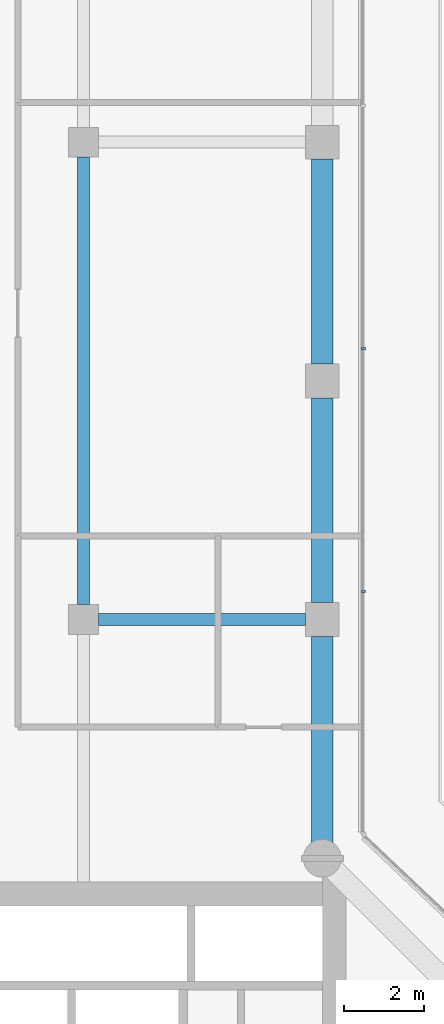
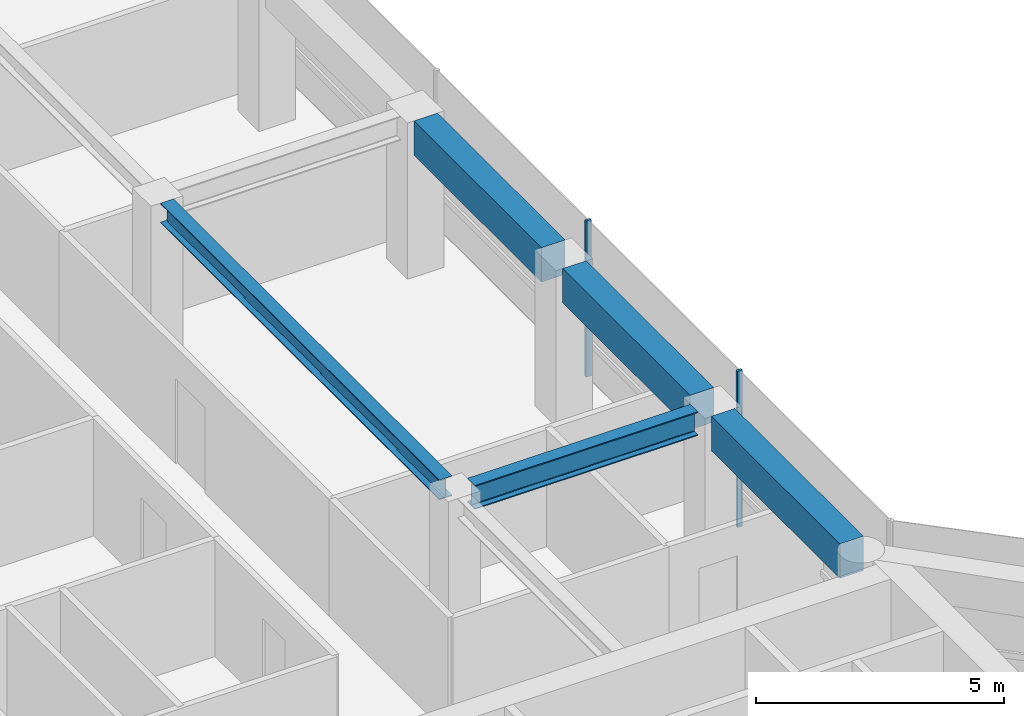
# One storey, part 8 of 20: 5 beams, 2 members, 1 element without a shape of its own.
"""IFC4 building model written with IfcOpenShell, lengths in metres."""

import ifcopenshell
import ifcopenshell.guid

model = None  # the IFC model being written
_history = None  # IfcOwnerHistory: only IFC2X3 demands one
_inside = {}  # id of a spatial element -> (the spatial element, [elements in it])
_under = {}  # id of a project, library or spatial element -> (it, [spatial elements below it])
_declared = {}  # id of a project -> (the project, [libraries it declares])
_typed = {}  # id of a type object -> (the type object, [elements of that type])
_made_of = {}  # id of a material, layer set ... -> (it, [elements and type objects made of it])


def new_model(schema):
    """Start an empty IFC model of exactly this schema.

    Asked for "IFC4X3", IfcOpenShell would pick the latest addendum, in which some entities
    have other attributes; the version numbers below select the first issue.
    IFC2X3 requires an IfcOwnerHistory on every rooted entity: one is made here for all.
    """
    global model, _history
    if schema == "IFC4X3":
        model = ifcopenshell.file(schema_version=(4, 3, 0, 0))
    else:
        model = ifcopenshell.file(schema=schema)
    _inside.clear()
    _under.clear()
    _declared.clear()
    _typed.clear()
    _made_of.clear()
    _history = None
    if model.schema == "IFC2X3":
        org = make("IfcOrganization", Name="unknown")
        user = make(
            "IfcPersonAndOrganization",
            ThePerson=make("IfcPerson", FamilyName="unknown"),
            TheOrganization=org,
        )
        app = make(
            "IfcApplication",
            ApplicationDeveloper=org,
            Version="unknown",
            ApplicationFullName="unknown",
            ApplicationIdentifier="unknown",
        )
        _history = make(
            "IfcOwnerHistory",
            OwningUser=user,
            OwningApplication=app,
            ChangeAction="ADDED",
            CreationDate=0,
        )
    return model


def make(cls, **values):
    """One entity of the class cls with the attributes given. An attribute that is None is left unset."""
    return model.create_entity(
        cls, **{name: value for name, value in values.items() if value is not None}
    )


def rooted(cls, **values):
    """An entity with a GlobalId (a new one), such as an element, a storey or a relation."""
    return make(cls, GlobalId=ifcopenshell.guid.new(), OwnerHistory=_history, **values)


def si_unit(unit_type, name, prefix=None):
    """IfcSIUnit, for example si_unit("LENGTHUNIT", "METRE", prefix="MILLI")."""
    return make("IfcSIUnit", UnitType=unit_type, Prefix=prefix, Name=name)


def assignment(units):
    """IfcUnitAssignment: the units of a project."""
    return None if units is None else make("IfcUnitAssignment", Units=units)


def point(xyz):
    """IfcCartesianPoint."""
    return None if xyz is None else make("IfcCartesianPoint", Coordinates=xyz)


def direction(xyz):
    """IfcDirection."""
    return None if xyz is None else make("IfcDirection", DirectionRatios=xyz)


def frame(location, z_axis=None, x_axis=None):
    """IfcAxis2Placement3D, a coordinate frame: its origin and axes. An axis left out is left unset."""
    return make(
        "IfcAxis2Placement3D",
        Location=point(location),
        Axis=direction(z_axis),
        RefDirection=direction(x_axis),
    )


def frame_2d(location, x_axis=None):
    """IfcAxis2Placement2D, a coordinate frame in the plane: its origin and x axis."""
    return make(
        "IfcAxis2Placement2D", Location=point(location), RefDirection=direction(x_axis)
    )


def origin():
    """The frame at (0, 0, 0) with its axes left unset."""
    return frame((0.0, 0.0, 0.0))


def origin_2d():
    """The frame at (0, 0) in the plane with its x axis left unset."""
    return frame_2d((0.0, 0.0))


def place(relative_to, where):
    """IfcLocalPlacement: puts the frame where relative to a parent placement (None: the world)."""
    return make(
        "IfcLocalPlacement", PlacementRelTo=relative_to, RelativePlacement=where
    )


def context(
    kind, dimensions, precision=None, world=None, true_north=None, identifier=None
):
    """IfcGeometricRepresentationContext, for example the 3D "Model" context."""
    return make(
        "IfcGeometricRepresentationContext",
        ContextIdentifier=identifier,
        ContextType=kind,
        CoordinateSpaceDimension=dimensions,
        Precision=precision,
        WorldCoordinateSystem=world,
        TrueNorth=true_north,
    )


def subcontext(parent, identifier, kind, view, scale=None):
    """IfcGeometricRepresentationSubContext, for example "Body" below "Model"."""
    return make(
        "IfcGeometricRepresentationSubContext",
        ContextIdentifier=identifier,
        ContextType=kind,
        ParentContext=parent,
        TargetScale=scale,
        TargetView=view,
    )


def project(units=None, contexts=None):
    """IfcProject with its units and contexts."""
    return rooted(
        "IfcProject",
        Name="project",
        RepresentationContexts=contexts,
        UnitsInContext=assignment(units),
    )


def spatial(cls, under=None, at=None, **own):
    """A site, building, storey or space (cls), placed at a placement, below another one or the project."""
    s = rooted(cls, ObjectPlacement=at, **own)
    if under is not None:
        _under.setdefault(under.id(), (under, []))[1].append(s)
    return s


def profile(cls, at=None, kind="AREA", **sizes):
    """A parametric profile (cls). Its sizes go by their IFC names, for example OverallWidth=200.0."""
    return make(cls, ProfileType=kind, Position=at, **sizes)


def rectangle(**sizes):
    """IfcRectangleProfileDef."""
    return profile("IfcRectangleProfileDef", **sizes)


def i_section(**sizes):
    """IfcIShapeProfileDef."""
    return profile("IfcIShapeProfileDef", **sizes)


def extrude(swept, where, along, depth):
    """IfcExtrudedAreaSolid: the profile swept, set in the frame where, extruded along a direction by depth."""
    return make(
        "IfcExtrudedAreaSolid",
        SweptArea=swept,
        Position=where,
        ExtrudedDirection=direction(along),
        Depth=depth,
    )


def shape(context_of_items, identifier, shape_type, items):
    """IfcShapeRepresentation: the items that make up one representation, for example the "Body"."""
    return make(
        "IfcShapeRepresentation",
        ContextOfItems=context_of_items,
        RepresentationIdentifier=identifier,
        RepresentationType=shape_type,
        Items=items,
    )


def material(Name=None, Category=None):
    """IfcMaterial."""
    return make("IfcMaterial", Name=Name, Category=Category)


def layer(
    of_material, thickness, ventilated=None, Name=None, Category=None, Priority=None
):
    """IfcMaterialLayer: one layer of a wall or slab, of a material (None: an air gap)."""
    return make(
        "IfcMaterialLayer",
        Material=of_material,
        LayerThickness=thickness,
        IsVentilated=ventilated,
        Name=Name,
        Category=Category,
        Priority=Priority,
    )


def layer_set(layers, Name=None):
    """IfcMaterialLayerSet."""
    return make("IfcMaterialLayerSet", MaterialLayers=layers, LayerSetName=Name)


def material_profile(
    of_material, cross_section, Name=None, Category=None, Priority=None
):
    """IfcMaterialProfile: a cross section and its material."""
    return make(
        "IfcMaterialProfile",
        Name=Name,
        Material=of_material,
        Profile=cross_section,
        Priority=Priority,
        Category=Category,
    )


def profile_set(profiles, Name=None, composite=None):
    """IfcMaterialProfileSet."""
    return make(
        "IfcMaterialProfileSet",
        Name=Name,
        MaterialProfiles=profiles,
        CompositeProfile=composite,
    )


def made_of(thing, what):
    """Note that an element or type object is made of a material, layer set ...; save() writes the relation."""
    if what is not None:
        _made_of.setdefault(what.id(), (what, []))[1].append(thing)
    return thing


def type_object(cls, material=None, **own):
    """A type object (cls), such as IfcWallType, which elements share."""
    return made_of(rooted(cls, **own), material)


def element(
    cls,
    number,
    at=None,
    inside=None,
    cuts=None,
    type_object=None,
    material=None,
    context=None,
    identifier="Body",
    shape_type=None,
    held_by="IfcProductDefinitionShape",
    body=None,
    shapes=None,
    **own,
):
    """One element of the class cls, such as IfcWall. Its Tag is "e" and its number.

    at: its placement. inside: the storey or other place that contains it. cuts: it is an
    opening in that element (IfcRelVoidsElement). A single representation is given by context,
    identifier, shape_type and body (its items); several are given by shapes. held_by: the class
    of the entity that holds the representations. save() writes the other relations.
    """
    e = rooted(cls, Tag="e%d" % number, ObjectPlacement=at, **own)
    if body is not None:
        shapes = [shape(context, identifier, shape_type, body)]
    if shapes is not None:
        e.Representation = make(held_by, Representations=shapes)
    if inside is not None:
        _inside.setdefault(inside.id(), (inside, []))[1].append(e)
    if cuts is not None:
        rooted(
            "IfcRelVoidsElement", RelatingBuildingElement=cuts, RelatedOpeningElement=e
        )
    if type_object is not None:
        _typed.setdefault(type_object.id(), (type_object, []))[1].append(e)
    return made_of(e, material)


def aggregate(whole, parts):
    """IfcRelAggregates: a whole, such as a stair, and the parts it consists of."""
    return rooted("IfcRelAggregates", RelatingObject=whole, RelatedObjects=parts)


def save(model, path):
    """Write the relations noted so far, then the file.

    IfcRelAggregates (storeys below a building ...), IfcRelContainedInSpatialStructure (elements
    in a storey), IfcRelDefinesByType, IfcRelAssociatesMaterial and IfcRelDeclares: one each for
    every whole, place, type object, material and project.
    """
    for whole, parts in _under.values():
        aggregate(whole, parts)
    for where, things in _inside.values():
        rooted(
            "IfcRelContainedInSpatialStructure",
            RelatedElements=things,
            RelatingStructure=where,
        )
    for kind, things in _typed.values():
        rooted("IfcRelDefinesByType", RelatedObjects=things, RelatingType=kind)
    for what, things in _made_of.values():
        rooted("IfcRelAssociatesMaterial", RelatedObjects=things, RelatingMaterial=what)
    for by, libraries in _declared.values():
        rooted("IfcRelDeclares", RelatingContext=by, RelatedDefinitions=libraries)
    model.write(path)


model = new_model("IFC4")

# Units and contexts
model_context = context("Model", 3, precision=1e-05, world=origin(), true_north=direction((0.0, 1.0)))
body_context = subcontext(model_context, "Body", "Model", "MODEL_VIEW")
ifc_project = project(units=[si_unit("LENGTHUNIT", "METRE"), si_unit("AREAUNIT", "SQUARE_METRE"), si_unit("VOLUMEUNIT", "CUBIC_METRE"), si_unit("PLANEANGLEUNIT", "RADIAN"), si_unit("MASSUNIT", "GRAM", prefix="KILO")], contexts=[model_context])

# Site, building, storey
site_placement = place(None, origin())
site = spatial("IfcSite", under=ifc_project, at=site_placement, CompositionType="ELEMENT")
building_placement = place(site_placement, origin())
building = spatial("IfcBuilding", under=site, at=building_placement, Name="Welwitschia Terrace Campus", CompositionType="ELEMENT")
storey_placement = place(building_placement, frame((0.0, 0.0, 176.0)))
storey = spatial("IfcBuildingStorey", under=building, at=storey_placement, Name="L39", CompositionType="ELEMENT", Elevation=176.0)

# Beam
ifc_material_1 = material(Name="Steel S355", Category="steel")
ifc_material_profile_1 = material_profile(ifc_material_1, i_section(OverallWidth=0.300048828125, OverallDepth=0.489990234375, WebThickness=0.011962890625, FlangeThickness=0.02294921875, FilletRadius=0.027099609375, at=origin_2d()))
ifc_profile_set_1 = profile_set([ifc_material_profile_1], Name="Steel S355")
beam_type_1 = type_object("IfcBeamType", Name="Interior girder HE 500 A", PredefinedType="BEAM", material=ifc_profile_set_1)
beam_1_placement = place(storey_placement, frame((18.0, 32.37548828125, 3.60498046875), z_axis=(0.0, 1.0, 0.0), x_axis=(-1.0, 0.0, 0.0)))
element("IfcBeam", 1, at=beam_1_placement, inside=storey, type_object=beam_type_1, Name="Girder GB4", PredefinedType="BEAM", context=body_context, shape_type="SweptSolid", body=[
    extrude(i_section(OverallWidth=0.300048828125, OverallDepth=0.489990234375, WebThickness=0.011962890625, FlangeThickness=0.02294921875, FilletRadius=0.027099609375, at=origin_2d()), origin(), (0.0, 0.0, 1.0), 11.2490234375),
])

# Curtain wall, members
ifc_material_2 = material(Name="Bronze anodised aluminium", Category="aluminium")
ifc_layer = layer(ifc_material_2, 0.1201171875)
ifc_layer_set = layer_set([ifc_layer], Name="Bronze anodised aluminium")
curtain_wall_type = type_object("IfcCurtainWallType", Name="Curtain wall CW2 tower 6000", PredefinedType="NOTDEFINED", material=ifc_layer_set)
curtain_wall_placement = place(storey_placement, origin())
curtain_wall = element("IfcCurtainWall", 2, at=curtain_wall_placement, inside=storey, type_object=curtain_wall_type, Name="CW L39.9.0", PredefinedType="NOTDEFINED")
ifc_material_3 = material(Name="Bronze anodised aluminium", Category="aluminium")
ifc_material_profile_2 = material_profile(ifc_material_3, rectangle(XDim=0.1201171875, YDim=0.06005859375, at=origin_2d()))
ifc_profile_set_2 = profile_set([ifc_material_profile_2], Name="Bronze anodised aluminium")
member_type = type_object("IfcMemberType", Name="Mullion 60x120", PredefinedType="MULLION", material=ifc_profile_set_2)
member_1_placement = place(storey_placement, frame((25.030029296875, 32.706298828125, 0.0), z_axis=(0.0, 0.0, 1.0), x_axis=(-1.0, 0.0, 0.0)))
member_1 = element("IfcMember", 3, at=member_1_placement, type_object=member_type, Name="Mullion L39.9.0.1", PredefinedType="MULLION", context=body_context, shape_type="SweptSolid", body=[
    extrude(rectangle(XDim=0.1201171875, YDim=0.06005859375, at=origin_2d()), origin(), (0.0, 0.0, 1.0), 3.85009765625),
])
member_2_placement = place(storey_placement, frame((25.030029296875, 38.809326171875, 0.0), z_axis=(0.0, 0.0, 1.0), x_axis=(-1.0, 0.0, 0.0)))
member_2 = element("IfcMember", 4, at=member_2_placement, type_object=member_type, Name="Mullion L39.9.0.2", PredefinedType="MULLION", context=body_context, shape_type="SweptSolid", body=[
    extrude(rectangle(XDim=0.1201171875, YDim=0.06005859375, at=origin_2d()), origin(), (0.0, 0.0, 1.0), 3.85009765625),
])
aggregate(curtain_wall, [member_1, member_2])

# Beams
ifc_material_4 = material(Name="Steel S355", Category="steel")
ifc_material_profile_3 = material_profile(ifc_material_4, i_section(OverallWidth=0.300048828125, OverallDepth=0.590087890625, WebThickness=0.012939453125, FlangeThickness=0.02490234375, FilletRadius=0.027099609375, at=origin_2d()))
ifc_profile_set_3 = profile_set([ifc_material_profile_3], Name="Steel S355")
beam_type_2 = type_object("IfcBeamType", Name="Primary beam HE 600 A", PredefinedType="BEAM", material=ifc_profile_set_3)
beam_2_placement = place(storey_placement, frame((23.574462890625, 32.0, 3.554931640625), z_axis=(-1.0, 0.0, 0.0), x_axis=(0.0, -1.0, 0.0)))
element("IfcBeam", 5, at=beam_2_placement, inside=storey, type_object=beam_type_2, Name="Primary beam PB4", PredefinedType="BEAM", context=body_context, shape_type="SweptSolid", body=[
    extrude(i_section(OverallWidth=0.300048828125, OverallDepth=0.590087890625, WebThickness=0.012939453125, FlangeThickness=0.02490234375, FilletRadius=0.027099609375, at=origin_2d()), origin(), (0.0, 0.0, 1.0), 5.198974609375),
])
ifc_material_5 = material(Name="Concrete C50/60", Category="concrete")
ifc_material_profile_4 = material_profile(ifc_material_5, rectangle(XDim=0.550048828125, YDim=0.85009765625, at=origin_2d()))
ifc_profile_set_4 = profile_set([ifc_material_profile_4], Name="Concrete C50/60")
beam_type_3 = type_object("IfcBeamType", Name="Ring spandrel 550x850", PredefinedType="SPANDREL", material=ifc_profile_set_4)
beam_3_placement = place(storey_placement, frame((24.0, 26.387939453125, 3.425048828125), z_axis=(0.0, 1.0, 0.0), x_axis=(-1.0, 0.0, 0.0)))
element("IfcBeam", 6, at=beam_3_placement, inside=storey, type_object=beam_type_3, Name="Spandrel SP3", PredefinedType="SPANDREL", context=body_context, shape_type="SweptSolid", body=[
    extrude(rectangle(XDim=0.550048828125, YDim=0.85009765625, at=origin_2d()), origin(), (0.0, 0.0, 1.0), 5.1865234375),
])
for number, where, z_axis, x_axis, name in (
    (7, (24.0, 32.425537109375, 3.425048828125), (0.0, 1.0, 0.0), (-1.0, 0.0, 0.0), "Spandrel SP3"),
    (8, (24.0, 38.425537109375, 3.425048828125), (0.0, 1.0, 0.0), (-1.0, 0.0, 0.0), "Spandrel SP3"),
):
    element("IfcBeam", number, at=place(storey_placement, frame(where, z_axis=z_axis, x_axis=x_axis)), inside=storey, type_object=beam_type_3, Name=name, PredefinedType="SPANDREL", context=body_context, shape_type="SweptSolid", body=[
        extrude(rectangle(XDim=0.550048828125, YDim=0.85009765625, at=origin_2d()), origin(), (0.0, 0.0, 1.0), 5.14892578125),
    ])

save(model, "model.ifc")
